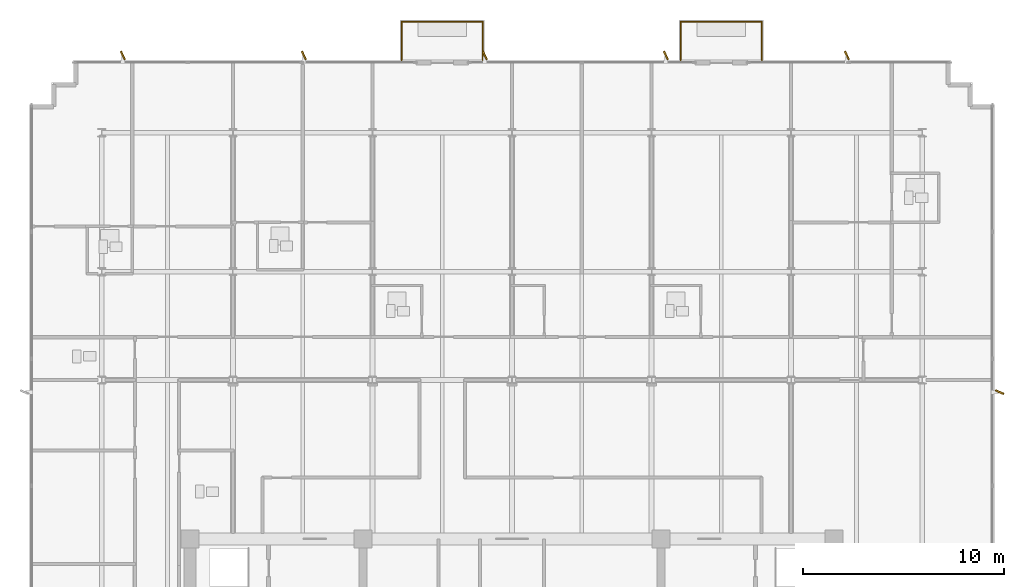
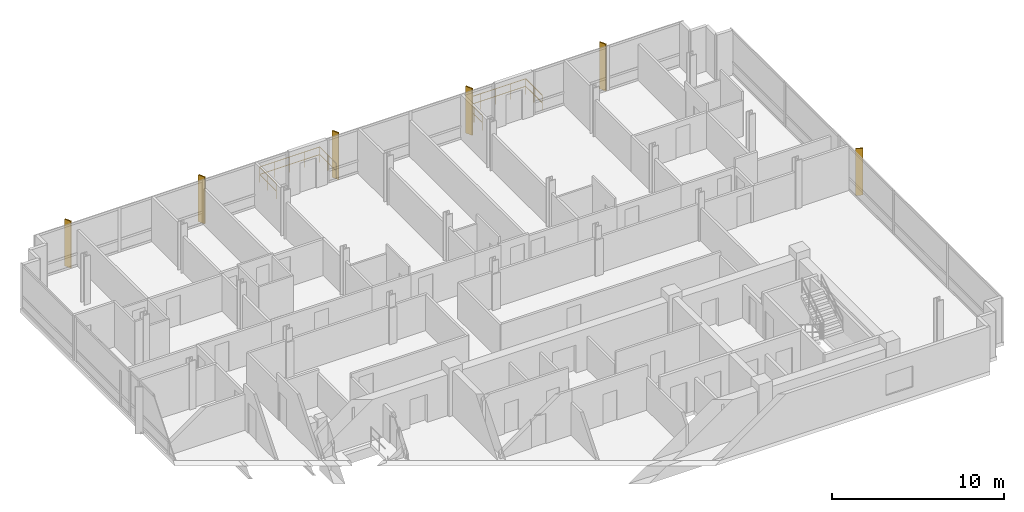
# One storey, part 13 of 14: 6 railings, 6 shading devices.
"""IFC4 building model written with IfcOpenShell, lengths in metres."""

from ifc_helpers import new_model, si_unit, direction, frame, origin, origin_2d, place, context, subcontext, project, spatial, rectangle, circle, extrude, material, layer, layer_set, type_object, element, save


model = new_model("IFC4")

# Units and contexts
model_context = context("Model", 3, precision=1e-05, world=origin(), true_north=direction((0.0, 1.0)))
body_context = subcontext(model_context, "Body", "Model", "MODEL_VIEW")
ifc_project = project(units=[si_unit("LENGTHUNIT", "METRE"), si_unit("AREAUNIT", "SQUARE_METRE"), si_unit("VOLUMEUNIT", "CUBIC_METRE"), si_unit("PLANEANGLEUNIT", "RADIAN"), si_unit("MASSUNIT", "GRAM", prefix="KILO")], contexts=[model_context])

# Site, building, storey
site_placement = place(None, origin())
site = spatial("IfcSite", under=ifc_project, at=site_placement, CompositionType="ELEMENT")
building_placement = place(site_placement, origin())
building = spatial("IfcBuilding", under=site, at=building_placement, Name="Solmavex Isthmus Hotel", CompositionType="ELEMENT")
storey_placement = place(building_placement, frame((0.0, 0.0, 255.75)))
storey = spatial("IfcBuildingStorey", under=building, at=storey_placement, Name="L69", CompositionType="ELEMENT", Elevation=255.75)

# Railings
ifc_material_1 = material(Name="Clear low-E laminated glass", Category="glass")
ifc_layer = layer(ifc_material_1, 0.070068359375)
ifc_layer_set = layer_set([ifc_layer], Name="Clear low-E laminated glass")
railing_type = type_object("IfcRailingType", Name="RAIL-GUARD-1100", PredefinedType="BALUSTRADE", material=ifc_layer_set)
railing_1_placement = place(storey_placement, frame((-5.488037109375, 21.300048828125, 0.0)))
element("IfcRailing", 1, at=railing_1_placement, inside=storey, type_object=railing_type, Name="Guardrail Balustrade L69-BAL1-01", PredefinedType="BALUSTRADE", context=body_context, shape_type="SweptSolid", body=[
    extrude(circle(Radius=0.02392578125, at=origin_2d()), frame((0.0, 0.0, 1.09619140625), z_axis=(0.0, 1.0, 0.0), x_axis=(-1.0, 0.0, 0.0)), (0.0, 0.0, 1.0), 1.919921875),
    extrude(circle(Radius=0.02392578125, at=origin_2d()), frame((0.0, 0.0, 0.56005859375), z_axis=(0.0, 1.0, 0.0), x_axis=(-1.0, 0.0, 0.0)), (0.0, 0.0, 1.0), 1.919921875),
    extrude(circle(Radius=0.02099609375, at=origin_2d()), origin(), (0.0, 0.0, 1.0), 1.072021484375),
    extrude(circle(Radius=0.02099609375, at=origin_2d()), frame((0.0, 0.9599609375, 0.0)), (0.0, 0.0, 1.0), 1.072021484375),
    extrude(circle(Radius=0.02099609375, at=origin_2d()), frame((0.0, 1.919921875, 0.0)), (0.0, 0.0, 1.0), 1.072021484375),
])
railing_2_placement = place(storey_placement, frame((-5.488037109375, 23.219970703125, 0.0)))
element("IfcRailing", 2, at=railing_2_placement, inside=storey, type_object=railing_type, Name="Guardrail Balustrade L69-BAL1-02", PredefinedType="BALUSTRADE", context=body_context, shape_type="SweptSolid", body=[
    extrude(circle(Radius=0.02392578125, at=origin_2d()), frame((0.0, 0.0, 1.09619140625), z_axis=(1.0, 0.0, 0.0), x_axis=(0.0, 1.0, 0.0)), (0.0, 0.0, 1.0), 4.0400390625),
    extrude(circle(Radius=0.02392578125, at=origin_2d()), frame((0.0, 0.0, 0.56005859375), z_axis=(1.0, 0.0, 0.0), x_axis=(0.0, 1.0, 0.0)), (0.0, 0.0, 1.0), 4.0400390625),
    extrude(circle(Radius=0.02099609375, at=origin_2d()), origin(), (0.0, 0.0, 1.0), 1.072021484375),
    extrude(circle(Radius=0.02099609375, at=origin_2d()), frame((1.010009765625, 0.0, 0.0)), (0.0, 0.0, 1.0), 1.072021484375),
    extrude(circle(Radius=0.02099609375, at=origin_2d()), frame((2.02001953125, 0.0, 0.0)), (0.0, 0.0, 1.0), 1.072021484375),
    extrude(circle(Radius=0.02099609375, at=origin_2d()), frame((3.030029296875, 0.0, 0.0)), (0.0, 0.0, 1.0), 1.072021484375),
    extrude(circle(Radius=0.02099609375, at=origin_2d()), frame((4.0400390625, 0.0, 0.0)), (0.0, 0.0, 1.0), 1.072021484375),
])
railing_3_placement = place(storey_placement, frame((-1.447998046875, 23.219970703125, 0.0)))
element("IfcRailing", 3, at=railing_3_placement, inside=storey, type_object=railing_type, Name="Guardrail Balustrade L69-BAL1-03", PredefinedType="BALUSTRADE", context=body_context, shape_type="SweptSolid", body=[
    extrude(circle(Radius=0.02392578125, at=origin_2d()), frame((0.0, 0.0, 1.09619140625), z_axis=(0.0, -1.0, 0.0), x_axis=(1.0, 0.0, 0.0)), (0.0, 0.0, 1.0), 1.919921875),
    extrude(circle(Radius=0.02392578125, at=origin_2d()), frame((0.0, 0.0, 0.56005859375), z_axis=(0.0, -1.0, 0.0), x_axis=(1.0, 0.0, 0.0)), (0.0, 0.0, 1.0), 1.919921875),
    extrude(circle(Radius=0.02099609375, at=origin_2d()), origin(), (0.0, 0.0, 1.0), 1.072021484375),
    extrude(circle(Radius=0.02099609375, at=origin_2d()), frame((0.0, -0.9599609375, 0.0)), (0.0, 0.0, 1.0), 1.072021484375),
    extrude(circle(Radius=0.02099609375, at=origin_2d()), frame((0.0, -1.919921875, 0.0)), (0.0, 0.0, 1.0), 1.072021484375),
])
railing_4_placement = place(storey_placement, frame((8.384033203125, 21.300048828125, 0.0)))
element("IfcRailing", 4, at=railing_4_placement, inside=storey, type_object=railing_type, Name="Guardrail Balustrade L69-BAL2-01", PredefinedType="BALUSTRADE", context=body_context, shape_type="SweptSolid", body=[
    extrude(circle(Radius=0.02392578125, at=origin_2d()), frame((0.0, 0.0, 1.09619140625), z_axis=(0.0, 1.0, 0.0), x_axis=(-1.0, 0.0, 0.0)), (0.0, 0.0, 1.0), 1.919921875),
    extrude(circle(Radius=0.02392578125, at=origin_2d()), frame((0.0, 0.0, 0.56005859375), z_axis=(0.0, 1.0, 0.0), x_axis=(-1.0, 0.0, 0.0)), (0.0, 0.0, 1.0), 1.919921875),
    extrude(circle(Radius=0.02099609375, at=origin_2d()), origin(), (0.0, 0.0, 1.0), 1.072021484375),
    extrude(circle(Radius=0.02099609375, at=origin_2d()), frame((0.0, 0.9599609375, 0.0)), (0.0, 0.0, 1.0), 1.072021484375),
    extrude(circle(Radius=0.02099609375, at=origin_2d()), frame((0.0, 1.919921875, 0.0)), (0.0, 0.0, 1.0), 1.072021484375),
])
railing_5_placement = place(storey_placement, frame((8.384033203125, 23.219970703125, 0.0)))
element("IfcRailing", 5, at=railing_5_placement, inside=storey, type_object=railing_type, Name="Guardrail Balustrade L69-BAL2-02", PredefinedType="BALUSTRADE", context=body_context, shape_type="SweptSolid", body=[
    extrude(circle(Radius=0.02392578125, at=origin_2d()), frame((0.0, 0.0, 1.09619140625), z_axis=(1.0, 0.0, 0.0), x_axis=(0.0, 1.0, 0.0)), (0.0, 0.0, 1.0), 4.0400390625),
    extrude(circle(Radius=0.02392578125, at=origin_2d()), frame((0.0, 0.0, 0.56005859375), z_axis=(1.0, 0.0, 0.0), x_axis=(0.0, 1.0, 0.0)), (0.0, 0.0, 1.0), 4.0400390625),
    extrude(circle(Radius=0.02099609375, at=origin_2d()), origin(), (0.0, 0.0, 1.0), 1.072021484375),
    extrude(circle(Radius=0.02099609375, at=origin_2d()), frame((1.010009765625, 0.0, 0.0)), (0.0, 0.0, 1.0), 1.072021484375),
    extrude(circle(Radius=0.02099609375, at=origin_2d()), frame((2.02001953125, 0.0, 0.0)), (0.0, 0.0, 1.0), 1.072021484375),
    extrude(circle(Radius=0.02099609375, at=origin_2d()), frame((3.030029296875, 0.0, 0.0)), (0.0, 0.0, 1.0), 1.072021484375),
    extrude(circle(Radius=0.02099609375, at=origin_2d()), frame((4.0400390625, 0.0, 0.0)), (0.0, 0.0, 1.0), 1.072021484375),
])
railing_6_placement = place(storey_placement, frame((12.424072265625, 23.219970703125, 0.0)))
element("IfcRailing", 6, at=railing_6_placement, inside=storey, type_object=railing_type, Name="Guardrail Balustrade L69-BAL2-03", PredefinedType="BALUSTRADE", context=body_context, shape_type="SweptSolid", body=[
    extrude(circle(Radius=0.02392578125, at=origin_2d()), frame((0.0, 0.0, 1.09619140625), z_axis=(0.0, -1.0, 0.0), x_axis=(1.0, 0.0, 0.0)), (0.0, 0.0, 1.0), 1.919921875),
    extrude(circle(Radius=0.02392578125, at=origin_2d()), frame((0.0, 0.0, 0.56005859375), z_axis=(0.0, -1.0, 0.0), x_axis=(1.0, 0.0, 0.0)), (0.0, 0.0, 1.0), 1.919921875),
    extrude(circle(Radius=0.02099609375, at=origin_2d()), origin(), (0.0, 0.0, 1.0), 1.072021484375),
    extrude(circle(Radius=0.02099609375, at=origin_2d()), frame((0.0, -0.9599609375, 0.0)), (0.0, 0.0, 1.0), 1.072021484375),
    extrude(circle(Radius=0.02099609375, at=origin_2d()), frame((0.0, -1.919921875, 0.0)), (0.0, 0.0, 1.0), 1.072021484375),
])

# Shading devices
ifc_material_2 = material(Name="Aluminium alloy 6063-T6", Category="aluminium")
shading_device_type = type_object("IfcShadingDeviceType", Name="SHD-FIN-BRONZE", PredefinedType="USERDEFINED", material=ifc_material_2)
for number, where, z_axis, x_axis, name in (
    (7, (-19.35009765625, 21.5400390625, -0.14013671875), (0.0, 0.0, 1.0), (-0.438371146789, 0.898794046299, 0.0), "Anodised Aluminium Solar Fin L69-N1"),
    (8, (-10.35009765625, 21.5400390625, -0.14013671875), (0.0, 0.0, 1.0), (-0.438371146789, 0.898794046299, 0.0), "Anodised Aluminium Solar Fin L69-N2"),
    (9, (-1.35009765625, 21.5400390625, -0.14013671875), (0.0, 0.0, 1.0), (-0.438371146789, 0.898794046299, 0.0), "Anodised Aluminium Solar Fin L69-N3"),
    (10, (7.64990234375, 21.5400390625, -0.14013671875), (0.0, 0.0, 1.0), (-0.438371146789, 0.898794046299, 0.0), "Anodised Aluminium Solar Fin L69-N4"),
    (11, (16.64990234375, 21.5400390625, -0.14013671875), (0.0, 0.0, 1.0), (-0.438371146789, 0.898794046299, 0.0), "Anodised Aluminium Solar Fin L69-N5"),
    (12, (24.239990234375, 4.800048828125, -0.14013671875), (0.0, 0.0, 1.0), (0.913545457643, -0.406736643076, 0.0), "Anodised Aluminium Solar Fin L69-E1"),
):
    element("IfcShadingDevice", number, at=place(storey_placement, frame(where, z_axis=z_axis, x_axis=x_axis)), inside=storey, type_object=shading_device_type, Name=name, ObjectType="SOLAR_FIN", PredefinedType="USERDEFINED", context=body_context, shape_type="SweptSolid", body=[
        extrude(rectangle(XDim=0.449951171875, YDim=0.080078125, at=origin_2d()), origin(), (0.0, 0.0, 1.0), 3.330078125),
    ])

save(model, "model.ifc")
